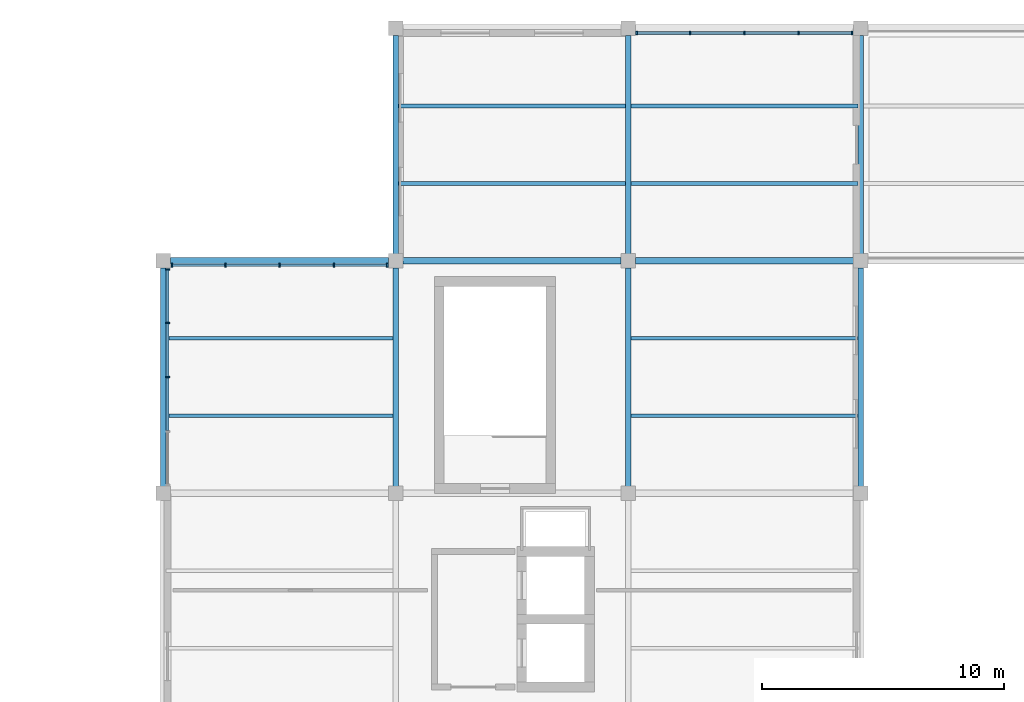
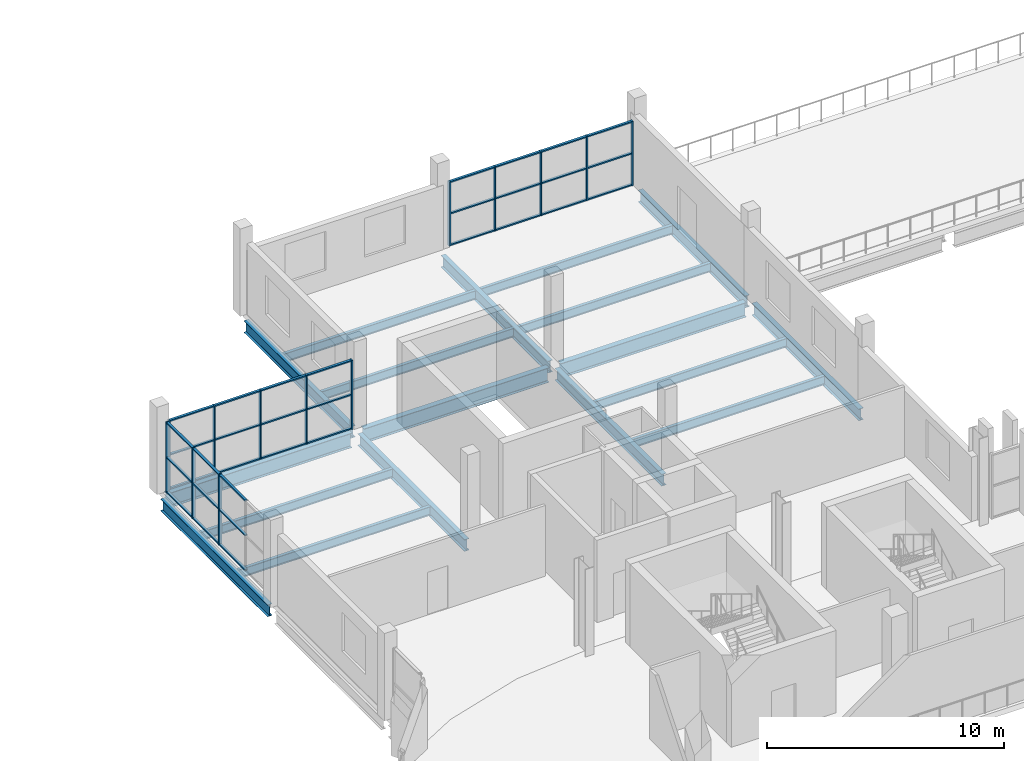
# One storey, part 31 of 75: 46 members, 18 beams, 3 elements without a shape of their own.
"""IFC4 building model written with IfcOpenShell, lengths in metres."""

from ifc_helpers import new_model, si_unit, direction, frame, origin, origin_2d, place, context, subcontext, project, spatial, rectangle, i_section, extrude, material, layer, layer_set, material_profile, profile_set, type_object, element, aggregate, save


model = new_model("IFC4")

# Units and contexts
model_context = context("Model", 3, precision=1e-05, world=origin(), true_north=direction((0.0, 1.0)))
body_context = subcontext(model_context, "Body", "Model", "MODEL_VIEW")
ifc_project = project(units=[si_unit("LENGTHUNIT", "METRE"), si_unit("AREAUNIT", "SQUARE_METRE"), si_unit("VOLUMEUNIT", "CUBIC_METRE"), si_unit("PLANEANGLEUNIT", "RADIAN"), si_unit("MASSUNIT", "GRAM", prefix="KILO")], contexts=[model_context])

# Site, building, storey
site_placement = place(None, origin())
site = spatial("IfcSite", under=ifc_project, at=site_placement, CompositionType="ELEMENT")
building_placement = place(site_placement, origin())
building = spatial("IfcBuilding", under=site, at=building_placement, Name="Caelomonte Colonnade Arena", CompositionType="ELEMENT")
storey_placement = place(building_placement, frame((0.0, 0.0, 14.10009765625)))
storey = spatial("IfcBuildingStorey", under=building, at=storey_placement, Name="L03", CompositionType="ELEMENT", Elevation=14.10009765625)

# Curtain wall, members
ifc_material_1 = material(Name="Bronze anodised aluminium and low-E glazing", Category="aluminium")
ifc_layer_1 = layer(ifc_material_1, 0.179931640625)
ifc_layer_set_1 = layer_set([ifc_layer_1], Name="Bronze anodised aluminium and low-E glazing")
curtain_wall_type_1 = type_object("IfcCurtainWallType", Name="ENV-CW-CW-L03-96-33", PredefinedType="USERDEFINED", material=ifc_layer_set_1)
curtain_wall_1_placement = place(storey_placement, origin())
curtain_wall_1 = element("IfcCurtainWall", 1, at=curtain_wall_1_placement, inside=storey, type_object=curtain_wall_type_1, Name="L03 unitized curtain wall CW-L03-0912-1438", ObjectType="UNITIZED CURTAIN WALL", PredefinedType="USERDEFINED")
ifc_material_2 = material(Name="Bronze anodised aluminium AA6063-T6", Category="aluminium")
ifc_material_profile_1 = material_profile(ifc_material_2, rectangle(XDim=0.06494140625, YDim=0.14990234375, at=origin_2d()), Name="CWM-65X150")
ifc_profile_set_1 = profile_set([ifc_material_profile_1], Name="Bronze anodised aluminium AA6063-T6")
member_type_1 = type_object("IfcMemberType", Name="ENV-CW-MULL2", PredefinedType="MULLION", material=ifc_profile_set_1)
member_1_placement = place(storey_placement, frame((95.6474609375, 143.820068359375, 0.0), z_axis=(0.0, 0.0, 1.0), x_axis=(-1.0, 0.0, 0.0)))
member_1 = element("IfcMember", 2, at=member_1_placement, type_object=member_type_1, Name="CW-L03-96-33 mullion 1", PredefinedType="MULLION", context=body_context, shape_type="SweptSolid", body=[
    extrude(rectangle(XDim=0.06494140625, YDim=0.14990234375, at=origin_2d()), origin(), (0.0, 0.0, 1.0), 3.312744140625),
])
member_2_placement = place(storey_placement, frame((93.43994140625, 143.820068359375, 0.0), z_axis=(0.0, 0.0, 1.0), x_axis=(-1.0, 0.0, 0.0)))
member_2 = element("IfcMember", 3, at=member_2_placement, type_object=member_type_1, Name="CW-L03-96-33 mullion 2", PredefinedType="MULLION", context=body_context, shape_type="SweptSolid", body=[
    extrude(rectangle(XDim=0.06494140625, YDim=0.14990234375, at=origin_2d()), origin(), (0.0, 0.0, 1.0), 3.312744140625),
])
member_3_placement = place(storey_placement, frame((91.199951171875, 143.820068359375, 0.0), z_axis=(0.0, 0.0, 1.0), x_axis=(-1.0, 0.0, 0.0)))
member_3 = element("IfcMember", 4, at=member_3_placement, type_object=member_type_1, Name="CW-L03-96-33 mullion 3", PredefinedType="MULLION", context=body_context, shape_type="SweptSolid", body=[
    extrude(rectangle(XDim=0.06494140625, YDim=0.14990234375, at=origin_2d()), origin(), (0.0, 0.0, 1.0), 3.312744140625),
])
member_4_placement = place(storey_placement, frame((88.9599609375, 143.820068359375, 0.0), z_axis=(0.0, 0.0, 1.0), x_axis=(-1.0, 0.0, 0.0)))
member_4 = element("IfcMember", 5, at=member_4_placement, type_object=member_type_1, Name="CW-L03-96-33 mullion 4", PredefinedType="MULLION", context=body_context, shape_type="SweptSolid", body=[
    extrude(rectangle(XDim=0.06494140625, YDim=0.14990234375, at=origin_2d()), origin(), (0.0, 0.0, 1.0), 3.312744140625),
])
member_5_placement = place(storey_placement, frame((86.75244140625, 143.820068359375, 0.0), z_axis=(0.0, 0.0, 1.0), x_axis=(-1.0, 0.0, 0.0)))
member_5 = element("IfcMember", 6, at=member_5_placement, type_object=member_type_1, Name="CW-L03-96-33 mullion 5", PredefinedType="MULLION", context=body_context, shape_type="SweptSolid", body=[
    extrude(rectangle(XDim=0.06494140625, YDim=0.14990234375, at=origin_2d()), origin(), (0.0, 0.0, 1.0), 3.312744140625),
])

ifc_layer_2 = layer(ifc_material_1, 0.179931640625)
ifc_layer_set_2 = layer_set([ifc_layer_2], Name="Bronze anodised aluminium and low-E glazing")
curtain_wall_type_2 = type_object("IfcCurtainWallType", Name="ENV-CW-CW-L03-96-36", PredefinedType="USERDEFINED", material=ifc_layer_set_2)
curtain_wall_2_placement = place(storey_placement, origin())
curtain_wall_2 = element("IfcCurtainWall", 7, at=curtain_wall_2_placement, inside=storey, type_object=curtain_wall_type_2, Name="L03 unitized curtain wall CW-L03-0720-1342", ObjectType="UNITIZED CURTAIN WALL", PredefinedType="USERDEFINED")
member_6_placement = place(storey_placement, frame((76.447509765625, 134.219970703125, 0.0), z_axis=(0.0, 0.0, 1.0), x_axis=(-1.0, 0.0, 0.0)))
member_6 = element("IfcMember", 8, at=member_6_placement, type_object=member_type_1, Name="CW-L03-96-36 mullion 1", PredefinedType="MULLION", context=body_context, shape_type="SweptSolid", body=[
    extrude(rectangle(XDim=0.06494140625, YDim=0.14990234375, at=origin_2d()), origin(), (0.0, 0.0, 1.0), 3.556396484375),
])
member_7_placement = place(storey_placement, frame((74.239990234375, 134.219970703125, 0.0), z_axis=(0.0, 0.0, 1.0), x_axis=(-1.0, 0.0, 0.0)))
member_7 = element("IfcMember", 9, at=member_7_placement, type_object=member_type_1, Name="CW-L03-96-36 mullion 2", PredefinedType="MULLION", context=body_context, shape_type="SweptSolid", body=[
    extrude(rectangle(XDim=0.06494140625, YDim=0.14990234375, at=origin_2d()), origin(), (0.0, 0.0, 1.0), 3.556396484375),
])
member_8_placement = place(storey_placement, frame((72.0, 134.219970703125, 0.0), z_axis=(0.0, 0.0, 1.0), x_axis=(-1.0, 0.0, 0.0)))
member_8 = element("IfcMember", 10, at=member_8_placement, type_object=member_type_1, Name="CW-L03-96-36 mullion 3", PredefinedType="MULLION", context=body_context, shape_type="SweptSolid", body=[
    extrude(rectangle(XDim=0.06494140625, YDim=0.14990234375, at=origin_2d()), origin(), (0.0, 0.0, 1.0), 3.556396484375),
])
member_9_placement = place(storey_placement, frame((69.760009765625, 134.219970703125, 0.0), z_axis=(0.0, 0.0, 1.0), x_axis=(-1.0, 0.0, 0.0)))
member_9 = element("IfcMember", 11, at=member_9_placement, type_object=member_type_1, Name="CW-L03-96-36 mullion 4", PredefinedType="MULLION", context=body_context, shape_type="SweptSolid", body=[
    extrude(rectangle(XDim=0.06494140625, YDim=0.14990234375, at=origin_2d()), origin(), (0.0, 0.0, 1.0), 3.556396484375),
])
member_10_placement = place(storey_placement, frame((67.552490234375, 134.219970703125, 0.0), z_axis=(0.0, 0.0, 1.0), x_axis=(-1.0, 0.0, 0.0)))
member_10 = element("IfcMember", 12, at=member_10_placement, type_object=member_type_1, Name="CW-L03-96-36 mullion 5", PredefinedType="MULLION", context=body_context, shape_type="SweptSolid", body=[
    extrude(rectangle(XDim=0.06494140625, YDim=0.14990234375, at=origin_2d()), origin(), (0.0, 0.0, 1.0), 3.556396484375),
])

curtain_wall_3_placement = place(storey_placement, origin())
curtain_wall_3 = element("IfcCurtainWall", 13, at=curtain_wall_3_placement, inside=storey, type_object=curtain_wall_type_2, Name="L03 unitized curtain wall CW-L03-0674-1296", ObjectType="UNITIZED CURTAIN WALL", PredefinedType="USERDEFINED")
member_11_placement = place(storey_placement, frame((67.3798828125, 134.047607421875, 0.0), z_axis=(0.0, 0.0, 1.0), x_axis=(0.0, -1.0, 0.0)))
member_11 = element("IfcMember", 14, at=member_11_placement, type_object=member_type_1, Name="CW-L03-96-36 mullion 1", PredefinedType="MULLION", context=body_context, shape_type="SweptSolid", body=[
    extrude(rectangle(XDim=0.06494140625, YDim=0.14990234375, at=origin_2d()), origin(), (0.0, 0.0, 1.0), 3.637939453125),
])
member_12_placement = place(storey_placement, frame((67.3798828125, 131.840087890625, 0.0), z_axis=(0.0, 0.0, 1.0), x_axis=(0.0, -1.0, 0.0)))
member_12 = element("IfcMember", 15, at=member_12_placement, type_object=member_type_1, Name="CW-L03-96-36 mullion 2", PredefinedType="MULLION", context=body_context, shape_type="SweptSolid", body=[
    extrude(rectangle(XDim=0.06494140625, YDim=0.14990234375, at=origin_2d()), origin(), (0.0, 0.0, 1.0), 3.637939453125),
])
member_13_placement = place(storey_placement, frame((67.3798828125, 129.60009765625, 0.0), z_axis=(0.0, 0.0, 1.0), x_axis=(0.0, -1.0, 0.0)))
member_13 = element("IfcMember", 16, at=member_13_placement, type_object=member_type_1, Name="CW-L03-96-36 mullion 3", PredefinedType="MULLION", context=body_context, shape_type="SweptSolid", body=[
    extrude(rectangle(XDim=0.06494140625, YDim=0.14990234375, at=origin_2d()), origin(), (0.0, 0.0, 1.0), 3.637939453125),
])

# Member
ifc_material_profile_2 = material_profile(ifc_material_2, rectangle(XDim=0.06494140625, YDim=0.1201171875, at=origin_2d()), Name="CWT-65X120")
ifc_profile_set_2 = profile_set([ifc_material_profile_2], Name="Bronze anodised aluminium AA6063-T6")
member_type_2 = type_object("IfcMemberType", Name="ENV-CW-TRAN2", PredefinedType="USERDEFINED", material=ifc_profile_set_2)
member_14_placement = place(storey_placement, frame((95.614990234375, 143.820068359375, 0.032470703125), z_axis=(-1.0, 0.0, 0.0), x_axis=(0.0, 0.0, 1.0)))
member_14 = element("IfcMember", 17, at=member_14_placement, type_object=member_type_2, Name="CW-L03-96-33 transom 1.1", ObjectType="TRANSOM", PredefinedType="USERDEFINED", context=body_context, shape_type="SweptSolid", body=[
    extrude(rectangle(XDim=0.06494140625, YDim=0.1201171875, at=origin_2d()), origin(), (0.0, 0.0, 1.0), 2.142578125),
])

member_15_placement = place(storey_placement, frame((95.614990234375, 143.820068359375, 1.65625), z_axis=(-1.0, 0.0, 0.0), x_axis=(0.0, 0.0, 1.0)))
member_15 = element("IfcMember", 18, at=member_15_placement, type_object=member_type_2, Name="CW-L03-96-33 transom 1.2", ObjectType="TRANSOM", PredefinedType="USERDEFINED", context=body_context, shape_type="SweptSolid", body=[
    extrude(rectangle(XDim=0.06494140625, YDim=0.1201171875, at=origin_2d()), origin(), (0.0, 0.0, 1.0), 2.142578125),
])

member_16_placement = place(storey_placement, frame((95.614990234375, 143.820068359375, 3.2802734375), z_axis=(-1.0, 0.0, 0.0), x_axis=(0.0, 0.0, 1.0)))
member_16 = element("IfcMember", 19, at=member_16_placement, type_object=member_type_2, Name="CW-L03-96-33 transom 1.3", ObjectType="TRANSOM", PredefinedType="USERDEFINED", context=body_context, shape_type="SweptSolid", body=[
    extrude(rectangle(XDim=0.06494140625, YDim=0.1201171875, at=origin_2d()), origin(), (0.0, 0.0, 1.0), 2.142578125),
])

member_17_placement = place(storey_placement, frame((93.407470703125, 143.820068359375, 0.032470703125), z_axis=(-1.0, 0.0, 0.0), x_axis=(0.0, 0.0, 1.0)))
member_17 = element("IfcMember", 20, at=member_17_placement, type_object=member_type_2, Name="CW-L03-96-33 transom 2.1", ObjectType="TRANSOM", PredefinedType="USERDEFINED", context=body_context, shape_type="SweptSolid", body=[
    extrude(rectangle(XDim=0.06494140625, YDim=0.1201171875, at=origin_2d()), origin(), (0.0, 0.0, 1.0), 2.175048828125),
])

member_18_placement = place(storey_placement, frame((93.407470703125, 143.820068359375, 1.65625), z_axis=(-1.0, 0.0, 0.0), x_axis=(0.0, 0.0, 1.0)))
member_18 = element("IfcMember", 21, at=member_18_placement, type_object=member_type_2, Name="CW-L03-96-33 transom 2.2", ObjectType="TRANSOM", PredefinedType="USERDEFINED", context=body_context, shape_type="SweptSolid", body=[
    extrude(rectangle(XDim=0.06494140625, YDim=0.1201171875, at=origin_2d()), origin(), (0.0, 0.0, 1.0), 2.175048828125),
])

member_19_placement = place(storey_placement, frame((93.407470703125, 143.820068359375, 3.2802734375), z_axis=(-1.0, 0.0, 0.0), x_axis=(0.0, 0.0, 1.0)))
member_19 = element("IfcMember", 22, at=member_19_placement, type_object=member_type_2, Name="CW-L03-96-33 transom 2.3", ObjectType="TRANSOM", PredefinedType="USERDEFINED", context=body_context, shape_type="SweptSolid", body=[
    extrude(rectangle(XDim=0.06494140625, YDim=0.1201171875, at=origin_2d()), origin(), (0.0, 0.0, 1.0), 2.175048828125),
])

member_20_placement = place(storey_placement, frame((91.16748046875, 143.820068359375, 0.032470703125), z_axis=(-1.0, 0.0, 0.0), x_axis=(0.0, 0.0, 1.0)))
member_20 = element("IfcMember", 23, at=member_20_placement, type_object=member_type_2, Name="CW-L03-96-33 transom 3.1", ObjectType="TRANSOM", PredefinedType="USERDEFINED", context=body_context, shape_type="SweptSolid", body=[
    extrude(rectangle(XDim=0.06494140625, YDim=0.1201171875, at=origin_2d()), origin(), (0.0, 0.0, 1.0), 2.175048828125),
])

member_21_placement = place(storey_placement, frame((91.16748046875, 143.820068359375, 1.65625), z_axis=(-1.0, 0.0, 0.0), x_axis=(0.0, 0.0, 1.0)))
member_21 = element("IfcMember", 24, at=member_21_placement, type_object=member_type_2, Name="CW-L03-96-33 transom 3.2", ObjectType="TRANSOM", PredefinedType="USERDEFINED", context=body_context, shape_type="SweptSolid", body=[
    extrude(rectangle(XDim=0.06494140625, YDim=0.1201171875, at=origin_2d()), origin(), (0.0, 0.0, 1.0), 2.175048828125),
])

member_22_placement = place(storey_placement, frame((91.16748046875, 143.820068359375, 3.2802734375), z_axis=(-1.0, 0.0, 0.0), x_axis=(0.0, 0.0, 1.0)))
member_22 = element("IfcMember", 25, at=member_22_placement, type_object=member_type_2, Name="CW-L03-96-33 transom 3.3", ObjectType="TRANSOM", PredefinedType="USERDEFINED", context=body_context, shape_type="SweptSolid", body=[
    extrude(rectangle(XDim=0.06494140625, YDim=0.1201171875, at=origin_2d()), origin(), (0.0, 0.0, 1.0), 2.175048828125),
])

member_23_placement = place(storey_placement, frame((88.927490234375, 143.820068359375, 0.032470703125), z_axis=(-1.0, 0.0, 0.0), x_axis=(0.0, 0.0, 1.0)))
member_23 = element("IfcMember", 26, at=member_23_placement, type_object=member_type_2, Name="CW-L03-96-33 transom 4.1", ObjectType="TRANSOM", PredefinedType="USERDEFINED", context=body_context, shape_type="SweptSolid", body=[
    extrude(rectangle(XDim=0.06494140625, YDim=0.1201171875, at=origin_2d()), origin(), (0.0, 0.0, 1.0), 2.142578125),
])

member_24_placement = place(storey_placement, frame((88.927490234375, 143.820068359375, 1.65625), z_axis=(-1.0, 0.0, 0.0), x_axis=(0.0, 0.0, 1.0)))
member_24 = element("IfcMember", 27, at=member_24_placement, type_object=member_type_2, Name="CW-L03-96-33 transom 4.2", ObjectType="TRANSOM", PredefinedType="USERDEFINED", context=body_context, shape_type="SweptSolid", body=[
    extrude(rectangle(XDim=0.06494140625, YDim=0.1201171875, at=origin_2d()), origin(), (0.0, 0.0, 1.0), 2.142578125),
])

member_25_placement = place(storey_placement, frame((88.927490234375, 143.820068359375, 3.2802734375), z_axis=(-1.0, 0.0, 0.0), x_axis=(0.0, 0.0, 1.0)))
member_25 = element("IfcMember", 28, at=member_25_placement, type_object=member_type_2, Name="CW-L03-96-33 transom 4.3", ObjectType="TRANSOM", PredefinedType="USERDEFINED", context=body_context, shape_type="SweptSolid", body=[
    extrude(rectangle(XDim=0.06494140625, YDim=0.1201171875, at=origin_2d()), origin(), (0.0, 0.0, 1.0), 2.142578125),
])

aggregate(curtain_wall_1, [member_1, member_2, member_3, member_4, member_5, member_14, member_15, member_16, member_17, member_18, member_19, member_20, member_21, member_22, member_23, member_24, member_25])

member_26_placement = place(storey_placement, frame((76.4150390625, 134.219970703125, 0.032470703125), z_axis=(-1.0, 0.0, 0.0), x_axis=(0.0, 0.0, 1.0)))
member_26 = element("IfcMember", 29, at=member_26_placement, type_object=member_type_2, Name="CW-L03-96-36 transom 1.1", ObjectType="TRANSOM", PredefinedType="USERDEFINED", context=body_context, shape_type="SweptSolid", body=[
    extrude(rectangle(XDim=0.06494140625, YDim=0.1201171875, at=origin_2d()), origin(), (0.0, 0.0, 1.0), 2.142578125),
])

member_27_placement = place(storey_placement, frame((76.4150390625, 134.219970703125, 1.7783203125), z_axis=(-1.0, 0.0, 0.0), x_axis=(0.0, 0.0, 1.0)))
member_27 = element("IfcMember", 30, at=member_27_placement, type_object=member_type_2, Name="CW-L03-96-36 transom 1.2", ObjectType="TRANSOM", PredefinedType="USERDEFINED", context=body_context, shape_type="SweptSolid", body=[
    extrude(rectangle(XDim=0.06494140625, YDim=0.1201171875, at=origin_2d()), origin(), (0.0, 0.0, 1.0), 2.142578125),
])

member_28_placement = place(storey_placement, frame((76.4150390625, 134.219970703125, 3.52392578125), z_axis=(-1.0, 0.0, 0.0), x_axis=(0.0, 0.0, 1.0)))
member_28 = element("IfcMember", 31, at=member_28_placement, type_object=member_type_2, Name="CW-L03-96-36 transom 1.3", ObjectType="TRANSOM", PredefinedType="USERDEFINED", context=body_context, shape_type="SweptSolid", body=[
    extrude(rectangle(XDim=0.06494140625, YDim=0.1201171875, at=origin_2d()), origin(), (0.0, 0.0, 1.0), 2.142578125),
])

member_29_placement = place(storey_placement, frame((74.20751953125, 134.219970703125, 0.032470703125), z_axis=(-1.0, 0.0, 0.0), x_axis=(0.0, 0.0, 1.0)))
member_29 = element("IfcMember", 32, at=member_29_placement, type_object=member_type_2, Name="CW-L03-96-36 transom 2.1", ObjectType="TRANSOM", PredefinedType="USERDEFINED", context=body_context, shape_type="SweptSolid", body=[
    extrude(rectangle(XDim=0.06494140625, YDim=0.1201171875, at=origin_2d()), origin(), (0.0, 0.0, 1.0), 2.175048828125),
])

member_30_placement = place(storey_placement, frame((74.20751953125, 134.219970703125, 1.7783203125), z_axis=(-1.0, 0.0, 0.0), x_axis=(0.0, 0.0, 1.0)))
member_30 = element("IfcMember", 33, at=member_30_placement, type_object=member_type_2, Name="CW-L03-96-36 transom 2.2", ObjectType="TRANSOM", PredefinedType="USERDEFINED", context=body_context, shape_type="SweptSolid", body=[
    extrude(rectangle(XDim=0.06494140625, YDim=0.1201171875, at=origin_2d()), origin(), (0.0, 0.0, 1.0), 2.175048828125),
])

member_31_placement = place(storey_placement, frame((74.20751953125, 134.219970703125, 3.52392578125), z_axis=(-1.0, 0.0, 0.0), x_axis=(0.0, 0.0, 1.0)))
member_31 = element("IfcMember", 34, at=member_31_placement, type_object=member_type_2, Name="CW-L03-96-36 transom 2.3", ObjectType="TRANSOM", PredefinedType="USERDEFINED", context=body_context, shape_type="SweptSolid", body=[
    extrude(rectangle(XDim=0.06494140625, YDim=0.1201171875, at=origin_2d()), origin(), (0.0, 0.0, 1.0), 2.175048828125),
])

member_32_placement = place(storey_placement, frame((71.967529296875, 134.219970703125, 0.032470703125), z_axis=(-1.0, 0.0, 0.0), x_axis=(0.0, 0.0, 1.0)))
member_32 = element("IfcMember", 35, at=member_32_placement, type_object=member_type_2, Name="CW-L03-96-36 transom 3.1", ObjectType="TRANSOM", PredefinedType="USERDEFINED", context=body_context, shape_type="SweptSolid", body=[
    extrude(rectangle(XDim=0.06494140625, YDim=0.1201171875, at=origin_2d()), origin(), (0.0, 0.0, 1.0), 2.175048828125),
])

member_33_placement = place(storey_placement, frame((71.967529296875, 134.219970703125, 1.7783203125), z_axis=(-1.0, 0.0, 0.0), x_axis=(0.0, 0.0, 1.0)))
member_33 = element("IfcMember", 36, at=member_33_placement, type_object=member_type_2, Name="CW-L03-96-36 transom 3.2", ObjectType="TRANSOM", PredefinedType="USERDEFINED", context=body_context, shape_type="SweptSolid", body=[
    extrude(rectangle(XDim=0.06494140625, YDim=0.1201171875, at=origin_2d()), origin(), (0.0, 0.0, 1.0), 2.175048828125),
])

member_34_placement = place(storey_placement, frame((71.967529296875, 134.219970703125, 3.52392578125), z_axis=(-1.0, 0.0, 0.0), x_axis=(0.0, 0.0, 1.0)))
member_34 = element("IfcMember", 37, at=member_34_placement, type_object=member_type_2, Name="CW-L03-96-36 transom 3.3", ObjectType="TRANSOM", PredefinedType="USERDEFINED", context=body_context, shape_type="SweptSolid", body=[
    extrude(rectangle(XDim=0.06494140625, YDim=0.1201171875, at=origin_2d()), origin(), (0.0, 0.0, 1.0), 2.175048828125),
])

member_35_placement = place(storey_placement, frame((69.7275390625, 134.219970703125, 0.032470703125), z_axis=(-1.0, 0.0, 0.0), x_axis=(0.0, 0.0, 1.0)))
member_35 = element("IfcMember", 38, at=member_35_placement, type_object=member_type_2, Name="CW-L03-96-36 transom 4.1", ObjectType="TRANSOM", PredefinedType="USERDEFINED", context=body_context, shape_type="SweptSolid", body=[
    extrude(rectangle(XDim=0.06494140625, YDim=0.1201171875, at=origin_2d()), origin(), (0.0, 0.0, 1.0), 2.142578125),
])

member_36_placement = place(storey_placement, frame((69.7275390625, 134.219970703125, 1.7783203125), z_axis=(-1.0, 0.0, 0.0), x_axis=(0.0, 0.0, 1.0)))
member_36 = element("IfcMember", 39, at=member_36_placement, type_object=member_type_2, Name="CW-L03-96-36 transom 4.2", ObjectType="TRANSOM", PredefinedType="USERDEFINED", context=body_context, shape_type="SweptSolid", body=[
    extrude(rectangle(XDim=0.06494140625, YDim=0.1201171875, at=origin_2d()), origin(), (0.0, 0.0, 1.0), 2.142578125),
])

member_37_placement = place(storey_placement, frame((69.7275390625, 134.219970703125, 3.52392578125), z_axis=(-1.0, 0.0, 0.0), x_axis=(0.0, 0.0, 1.0)))
member_37 = element("IfcMember", 40, at=member_37_placement, type_object=member_type_2, Name="CW-L03-96-36 transom 4.3", ObjectType="TRANSOM", PredefinedType="USERDEFINED", context=body_context, shape_type="SweptSolid", body=[
    extrude(rectangle(XDim=0.06494140625, YDim=0.1201171875, at=origin_2d()), origin(), (0.0, 0.0, 1.0), 2.142578125),
])

aggregate(curtain_wall_2, [member_6, member_7, member_8, member_9, member_10, member_26, member_27, member_28, member_29, member_30, member_31, member_32, member_33, member_34, member_35, member_36, member_37])

member_38_placement = place(storey_placement, frame((67.3798828125, 134.014892578125, 0.032470703125), z_axis=(0.0, -1.0, 0.0), x_axis=(0.0, 0.0, 1.0)))
member_38 = element("IfcMember", 41, at=member_38_placement, type_object=member_type_2, Name="CW-L03-96-36 transom 1.1", ObjectType="TRANSOM", PredefinedType="USERDEFINED", context=body_context, shape_type="SweptSolid", body=[
    extrude(rectangle(XDim=0.06494140625, YDim=0.1201171875, at=origin_2d()), origin(), (0.0, 0.0, 1.0), 2.142333984375),
])

member_39_placement = place(storey_placement, frame((67.3798828125, 134.014892578125, 1.81884765625), z_axis=(0.0, -1.0, 0.0), x_axis=(0.0, 0.0, 1.0)))
member_39 = element("IfcMember", 42, at=member_39_placement, type_object=member_type_2, Name="CW-L03-96-36 transom 1.2", ObjectType="TRANSOM", PredefinedType="USERDEFINED", context=body_context, shape_type="SweptSolid", body=[
    extrude(rectangle(XDim=0.06494140625, YDim=0.1201171875, at=origin_2d()), origin(), (0.0, 0.0, 1.0), 2.142333984375),
])

member_40_placement = place(storey_placement, frame((67.3798828125, 134.014892578125, 3.60546875), z_axis=(0.0, -1.0, 0.0), x_axis=(0.0, 0.0, 1.0)))
member_40 = element("IfcMember", 43, at=member_40_placement, type_object=member_type_2, Name="CW-L03-96-36 transom 1.3", ObjectType="TRANSOM", PredefinedType="USERDEFINED", context=body_context, shape_type="SweptSolid", body=[
    extrude(rectangle(XDim=0.06494140625, YDim=0.1201171875, at=origin_2d()), origin(), (0.0, 0.0, 1.0), 2.142333984375),
])

member_41_placement = place(storey_placement, frame((67.3798828125, 131.8076171875, 0.032470703125), z_axis=(0.0, -1.0, 0.0), x_axis=(0.0, 0.0, 1.0)))
member_41 = element("IfcMember", 44, at=member_41_placement, type_object=member_type_2, Name="CW-L03-96-36 transom 2.1", ObjectType="TRANSOM", PredefinedType="USERDEFINED", context=body_context, shape_type="SweptSolid", body=[
    extrude(rectangle(XDim=0.06494140625, YDim=0.1201171875, at=origin_2d()), origin(), (0.0, 0.0, 1.0), 2.175048828125),
])

member_42_placement = place(storey_placement, frame((67.3798828125, 131.8076171875, 1.81884765625), z_axis=(0.0, -1.0, 0.0), x_axis=(0.0, 0.0, 1.0)))
member_42 = element("IfcMember", 45, at=member_42_placement, type_object=member_type_2, Name="CW-L03-96-36 transom 2.2", ObjectType="TRANSOM", PredefinedType="USERDEFINED", context=body_context, shape_type="SweptSolid", body=[
    extrude(rectangle(XDim=0.06494140625, YDim=0.1201171875, at=origin_2d()), origin(), (0.0, 0.0, 1.0), 2.175048828125),
])

member_43_placement = place(storey_placement, frame((67.3798828125, 131.8076171875, 3.60546875), z_axis=(0.0, -1.0, 0.0), x_axis=(0.0, 0.0, 1.0)))
member_43 = element("IfcMember", 46, at=member_43_placement, type_object=member_type_2, Name="CW-L03-96-36 transom 2.3", ObjectType="TRANSOM", PredefinedType="USERDEFINED", context=body_context, shape_type="SweptSolid", body=[
    extrude(rectangle(XDim=0.06494140625, YDim=0.1201171875, at=origin_2d()), origin(), (0.0, 0.0, 1.0), 2.175048828125),
])

member_44_placement = place(storey_placement, frame((67.3798828125, 129.5673828125, 0.032470703125), z_axis=(0.0, -1.0, 0.0), x_axis=(0.0, 0.0, 1.0)))
member_44 = element("IfcMember", 47, at=member_44_placement, type_object=member_type_2, Name="CW-L03-96-36 transom 3.1", ObjectType="TRANSOM", PredefinedType="USERDEFINED", context=body_context, shape_type="SweptSolid", body=[
    extrude(rectangle(XDim=0.06494140625, YDim=0.1201171875, at=origin_2d()), origin(), (0.0, 0.0, 1.0), 2.1748046875),
])

member_45_placement = place(storey_placement, frame((67.3798828125, 129.5673828125, 1.81884765625), z_axis=(0.0, -1.0, 0.0), x_axis=(0.0, 0.0, 1.0)))
member_45 = element("IfcMember", 48, at=member_45_placement, type_object=member_type_2, Name="CW-L03-96-36 transom 3.2", ObjectType="TRANSOM", PredefinedType="USERDEFINED", context=body_context, shape_type="SweptSolid", body=[
    extrude(rectangle(XDim=0.06494140625, YDim=0.1201171875, at=origin_2d()), origin(), (0.0, 0.0, 1.0), 2.1748046875),
])

member_46_placement = place(storey_placement, frame((67.3798828125, 129.5673828125, 3.60546875), z_axis=(0.0, -1.0, 0.0), x_axis=(0.0, 0.0, 1.0)))
member_46 = element("IfcMember", 49, at=member_46_placement, type_object=member_type_2, Name="CW-L03-96-36 transom 3.3", ObjectType="TRANSOM", PredefinedType="USERDEFINED", context=body_context, shape_type="SweptSolid", body=[
    extrude(rectangle(XDim=0.06494140625, YDim=0.1201171875, at=origin_2d()), origin(), (0.0, 0.0, 1.0), 2.1748046875),
])

aggregate(curtain_wall_3, [member_11, member_12, member_13, member_38, member_39, member_40, member_41, member_42, member_43, member_44, member_45, member_46])

# Beams
ifc_material_3 = material(Name="Wide-flange steel ASTM A992 Grade 50", Category="steel")
ifc_material_profile_3 = material_profile(ifc_material_3, i_section(OverallWidth=0.228271484375, OverallDepth=0.607177734375, WebThickness=0.01123046875, FlangeThickness=0.017333984375, FilletRadius=0.0126953125, at=origin_2d()), Name="W24X76")
ifc_profile_set_3 = profile_set([ifc_material_profile_3], Name="Wide-flange steel ASTM A992 Grade 50")
beam_type_1 = type_object("IfcBeamType", Name="STR-BM-GIRD24", PredefinedType="BEAM", material=ifc_profile_set_3)
for number, where, z_axis, x_axis, name in (
    (50, (67.199951171875, 125.092041015625, -0.58349609375), (0.0, 1.0, 0.0), (-1.0, 0.0, 0.0), "L03 girder BMY-L03-0672-1248"),
    (51, (76.800048828125, 125.092041015625, -0.58349609375), (0.0, 1.0, 0.0), (-1.0, 0.0, 0.0), "L03 girder BMY-L03-0768-1248"),
):
    element("IfcBeam", number, at=place(storey_placement, frame(where, z_axis=z_axis, x_axis=x_axis)), inside=storey, type_object=beam_type_1, Name=name, PredefinedType="BEAM", context=body_context, shape_type="SweptSolid", body=[
        extrude(i_section(OverallWidth=0.228271484375, OverallDepth=0.607177734375, WebThickness=0.01123046875, FlangeThickness=0.017333984375, FilletRadius=0.0126953125, at=origin_2d()), origin(), (0.0, 0.0, 1.0), 9.015869140625),
    ])
beam_1_placement = place(storey_placement, frame((76.800048828125, 134.69189453125, -0.58349609375), z_axis=(0.0, 1.0, 0.0), x_axis=(-1.0, 0.0, 0.0)))
element("IfcBeam", 52, at=beam_1_placement, inside=storey, type_object=beam_type_1, Name="L03 girder BMY-L03-0768-1344", PredefinedType="BEAM", context=body_context, shape_type="SweptSolid", body=[
    extrude(i_section(OverallWidth=0.228271484375, OverallDepth=0.607177734375, WebThickness=0.01123046875, FlangeThickness=0.017333984375, FilletRadius=0.0126953125, at=origin_2d()), origin(), (0.0, 0.0, 1.0), 9.01611328125),
])
beam_2_placement = place(storey_placement, frame((86.39990234375, 125.092041015625, -0.58349609375), z_axis=(0.0, 1.0, 0.0), x_axis=(-1.0, 0.0, 0.0)))
element("IfcBeam", 53, at=beam_2_placement, inside=storey, type_object=beam_type_1, Name="L03 girder BMY-L03-0864-1248", PredefinedType="BEAM", context=body_context, shape_type="SweptSolid", body=[
    extrude(i_section(OverallWidth=0.228271484375, OverallDepth=0.607177734375, WebThickness=0.01123046875, FlangeThickness=0.017333984375, FilletRadius=0.0126953125, at=origin_2d()), origin(), (0.0, 0.0, 1.0), 9.015869140625),
])
beam_3_placement = place(storey_placement, frame((86.39990234375, 134.69189453125, -0.58349609375), z_axis=(0.0, 1.0, 0.0), x_axis=(-1.0, 0.0, 0.0)))
element("IfcBeam", 54, at=beam_3_placement, inside=storey, type_object=beam_type_1, Name="L03 girder BMY-L03-0864-1344", PredefinedType="BEAM", context=body_context, shape_type="SweptSolid", body=[
    extrude(i_section(OverallWidth=0.228271484375, OverallDepth=0.607177734375, WebThickness=0.01123046875, FlangeThickness=0.017333984375, FilletRadius=0.0126953125, at=origin_2d()), origin(), (0.0, 0.0, 1.0), 9.01611328125),
])
beam_4_placement = place(storey_placement, frame((96.0, 125.092041015625, -0.58349609375), z_axis=(0.0, 1.0, 0.0), x_axis=(-1.0, 0.0, 0.0)))
element("IfcBeam", 55, at=beam_4_placement, inside=storey, type_object=beam_type_1, Name="L03 girder BMY-L03-0960-1248", PredefinedType="BEAM", context=body_context, shape_type="SweptSolid", body=[
    extrude(i_section(OverallWidth=0.228271484375, OverallDepth=0.607177734375, WebThickness=0.01123046875, FlangeThickness=0.017333984375, FilletRadius=0.0126953125, at=origin_2d()), origin(), (0.0, 0.0, 1.0), 9.015869140625),
])
beam_5_placement = place(storey_placement, frame((96.0, 134.69189453125, -0.58349609375), z_axis=(0.0, 1.0, 0.0), x_axis=(-1.0, 0.0, 0.0)))
element("IfcBeam", 56, at=beam_5_placement, inside=storey, type_object=beam_type_1, Name="L03 girder BMY-L03-0960-1344", PredefinedType="BEAM", context=body_context, shape_type="SweptSolid", body=[
    extrude(i_section(OverallWidth=0.228271484375, OverallDepth=0.607177734375, WebThickness=0.01123046875, FlangeThickness=0.017333984375, FilletRadius=0.0126953125, at=origin_2d()), origin(), (0.0, 0.0, 1.0), 9.01611328125),
])
ifc_material_profile_4 = material_profile(ifc_material_3, i_section(OverallWidth=0.265380859375, OverallDepth=0.75439453125, WebThickness=0.01318359375, FlangeThickness=0.01708984375, FilletRadius=0.0166015625, at=origin_2d()), Name="W30X99")
ifc_profile_set_4 = profile_set([ifc_material_profile_4], Name="Wide-flange steel ASTM A992 Grade 50")
beam_type_2 = type_object("IfcBeamType", Name="STR-BM-GIRD30B", PredefinedType="BEAM", material=ifc_profile_set_4)
beam_6_placement = place(storey_placement, frame((67.491943359375, 134.39990234375, -0.6572265625), z_axis=(1.0, 0.0, 0.0), x_axis=(0.0, 1.0, 0.0)))
element("IfcBeam", 57, at=beam_6_placement, inside=storey, type_object=beam_type_2, Name="L03 girder BMX-L03-0672-1344", PredefinedType="BEAM", context=body_context, shape_type="SweptSolid", body=[
    extrude(i_section(OverallWidth=0.265380859375, OverallDepth=0.75439453125, WebThickness=0.01318359375, FlangeThickness=0.01708984375, FilletRadius=0.0166015625, at=origin_2d()), origin(), (0.0, 0.0, 1.0), 9.01611328125),
])
beam_7_placement = place(storey_placement, frame((77.092041015625, 134.39990234375, -0.6572265625), z_axis=(1.0, 0.0, 0.0), x_axis=(0.0, 1.0, 0.0)))
element("IfcBeam", 58, at=beam_7_placement, inside=storey, type_object=beam_type_2, Name="L03 girder BMX-L03-0768-1344", PredefinedType="BEAM", context=body_context, shape_type="SweptSolid", body=[
    extrude(i_section(OverallWidth=0.265380859375, OverallDepth=0.75439453125, WebThickness=0.01318359375, FlangeThickness=0.01708984375, FilletRadius=0.0166015625, at=origin_2d()), origin(), (0.0, 0.0, 1.0), 9.015869140625),
])
beam_8_placement = place(storey_placement, frame((86.69189453125, 134.39990234375, -0.6572265625), z_axis=(1.0, 0.0, 0.0), x_axis=(0.0, 1.0, 0.0)))
element("IfcBeam", 59, at=beam_8_placement, inside=storey, type_object=beam_type_2, Name="L03 girder BMX-L03-0864-1344", PredefinedType="BEAM", context=body_context, shape_type="SweptSolid", body=[
    extrude(i_section(OverallWidth=0.265380859375, OverallDepth=0.75439453125, WebThickness=0.01318359375, FlangeThickness=0.01708984375, FilletRadius=0.0166015625, at=origin_2d()), origin(), (0.0, 0.0, 1.0), 9.01611328125),
])
ifc_material_profile_5 = material_profile(ifc_material_3, i_section(OverallWidth=0.15283203125, OverallDepth=0.45458984375, WebThickness=0.008056640625, FlangeThickness=0.01318359375, FilletRadius=0.01025390625, at=origin_2d()), Name="W18X40")
ifc_profile_set_5 = profile_set([ifc_material_profile_5], Name="Wide-flange steel ASTM A992 Grade 50")
beam_type_3 = type_object("IfcBeamType", Name="STR-BM-JOIST18B", PredefinedType="JOIST", material=ifc_profile_set_5)
for number, where, z_axis, x_axis, name in (
    (60, (67.30908203125, 128.0, -0.50732421875), (1.0, 0.0, 0.0), (0.0, 1.0, 0.0), "L03 secondary joist 1"),
    (61, (67.30908203125, 131.199951171875, -0.50732421875), (1.0, 0.0, 0.0), (0.0, 1.0, 0.0), "L03 secondary joist 2"),
):
    element("IfcBeam", number, at=place(storey_placement, frame(where, z_axis=z_axis, x_axis=x_axis)), inside=storey, type_object=beam_type_3, Name=name, PredefinedType="JOIST", context=body_context, shape_type="SweptSolid", body=[
        extrude(i_section(OverallWidth=0.15283203125, OverallDepth=0.45458984375, WebThickness=0.008056640625, FlangeThickness=0.01318359375, FilletRadius=0.01025390625, at=origin_2d()), origin(), (0.0, 0.0, 1.0), 9.3818359375),
    ])
for number, where, z_axis, x_axis, name in (
    (62, (76.9091796875, 137.60009765625, -0.50732421875), (1.0, 0.0, 0.0), (0.0, 1.0, 0.0), "L03 secondary joist 1"),
    (63, (76.9091796875, 140.800048828125, -0.50732421875), (1.0, 0.0, 0.0), (0.0, 1.0, 0.0), "L03 secondary joist 2"),
    (64, (86.50927734375, 128.0, -0.50732421875), (1.0, 0.0, 0.0), (0.0, 1.0, 0.0), "L03 secondary joist 1"),
    (65, (86.50927734375, 131.199951171875, -0.50732421875), (1.0, 0.0, 0.0), (0.0, 1.0, 0.0), "L03 secondary joist 2"),
    (66, (86.50927734375, 137.60009765625, -0.50732421875), (1.0, 0.0, 0.0), (0.0, 1.0, 0.0), "L03 secondary joist 1"),
    (67, (86.50927734375, 140.800048828125, -0.50732421875), (1.0, 0.0, 0.0), (0.0, 1.0, 0.0), "L03 secondary joist 2"),
):
    element("IfcBeam", number, at=place(storey_placement, frame(where, z_axis=z_axis, x_axis=x_axis)), inside=storey, type_object=beam_type_3, Name=name, PredefinedType="JOIST", context=body_context, shape_type="SweptSolid", body=[
        extrude(i_section(OverallWidth=0.15283203125, OverallDepth=0.45458984375, WebThickness=0.008056640625, FlangeThickness=0.01318359375, FilletRadius=0.01025390625, at=origin_2d()), origin(), (0.0, 0.0, 1.0), 9.381591796875),
    ])

save(model, "model.ifc")
